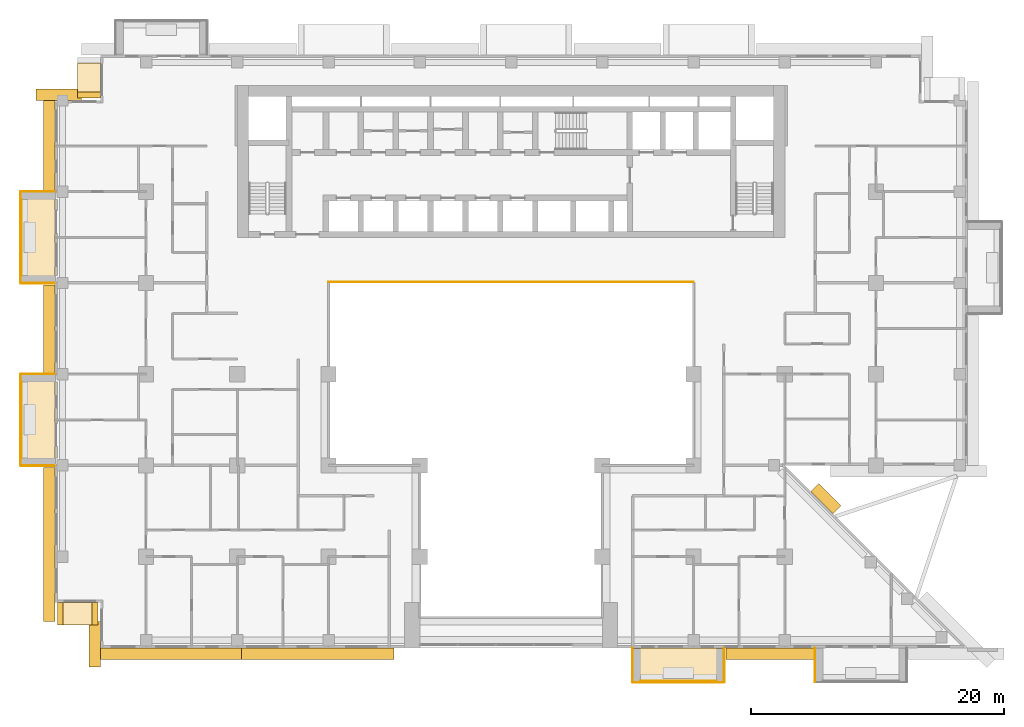
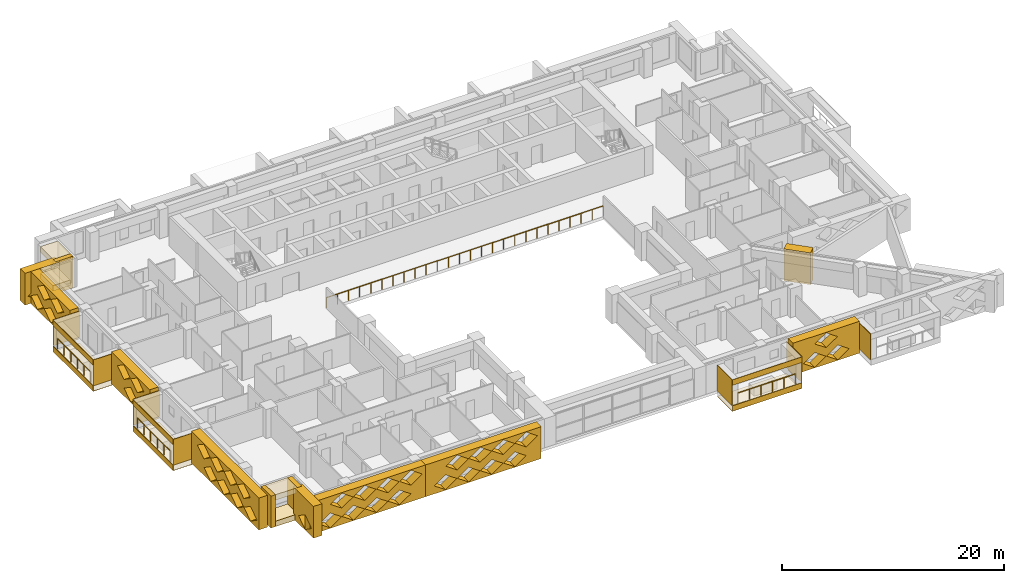
# One storey, part 14 of 17: 32 coverings, 4 railings.
"""IFC4 building model written with IfcOpenShell, lengths in metres."""

from ifc_helpers import new_model, si_unit, direction, frame, origin, origin_2d, place, context, subcontext, project, spatial, polyline, circle, outline, extrude, material, layer, layer_set, type_object, element, save


model = new_model("IFC4")

# Units and contexts
model_context = context("Model", 3, precision=1e-05, world=origin(), true_north=direction((0.0, 1.0)))
body_context = subcontext(model_context, "Body", "Model", "MODEL_VIEW")
ifc_project = project(units=[si_unit("LENGTHUNIT", "METRE"), si_unit("AREAUNIT", "SQUARE_METRE"), si_unit("VOLUMEUNIT", "CUBIC_METRE"), si_unit("PLANEANGLEUNIT", "RADIAN"), si_unit("MASSUNIT", "GRAM", prefix="KILO")], contexts=[model_context])

# Site, building, storey
site_placement = place(None, origin())
site = spatial("IfcSite", under=ifc_project, at=site_placement, CompositionType="ELEMENT")
building_placement = place(site_placement, origin())
building = spatial("IfcBuilding", under=site, at=building_placement, Name="Saffron Iwan Residences", CompositionType="ELEMENT")
storey_placement = place(building_placement, frame((0.0, 0.0, 100.5)))
storey = spatial("IfcBuildingStorey", under=building, at=storey_placement, Name="L26", CompositionType="ELEMENT", Elevation=100.5)

# Railings
ifc_material_1 = material(Name="Stainless steel 316", Category="steel")
railing_type_1 = type_object("IfcRailingType", Name="Atrium guard 1150", PredefinedType="GUARDRAIL", material=ifc_material_1)
railing_1_placement = place(storey_placement, frame((36.0, 62.47509765625, 0.0)))
element("IfcRailing", 1, at=railing_1_placement, inside=storey, type_object=railing_type_1, Name="Atrium guard L26", PredefinedType="GUARDRAIL", context=body_context, shape_type="SweptSolid", body=[
    extrude(circle(Radius=0.02392578125, at=origin_2d()), frame((0.0, 0.0, 1.1259765625), z_axis=(1.0, 0.0, 0.0), x_axis=(0.0, 1.0, 0.0)), (0.0, 0.0, 1.0), 28.800048828125),
    extrude(circle(Radius=0.02099609375, at=origin_2d()), origin(), (0.0, 0.0, 1.0), 1.101806640625),
    extrude(circle(Radius=0.02099609375, at=origin_2d()), frame((1.152099609375, 0.0, 0.0)), (0.0, 0.0, 1.0), 1.101806640625),
    extrude(circle(Radius=0.02099609375, at=origin_2d()), frame((2.303955078125, 0.0, 0.0)), (0.0, 0.0, 1.0), 1.101806640625),
    extrude(circle(Radius=0.02099609375, at=origin_2d()), frame((3.4560546875, 0.0, 0.0)), (0.0, 0.0, 1.0), 1.101806640625),
    extrude(circle(Radius=0.02099609375, at=origin_2d()), frame((4.60791015625, 0.0, 0.0)), (0.0, 0.0, 1.0), 1.101806640625),
    extrude(circle(Radius=0.02099609375, at=origin_2d()), frame((5.760009765625, 0.0, 0.0)), (0.0, 0.0, 1.0), 1.101806640625),
    extrude(circle(Radius=0.02099609375, at=origin_2d()), frame((6.912109375, 0.0, 0.0)), (0.0, 0.0, 1.0), 1.101806640625),
    extrude(circle(Radius=0.02099609375, at=origin_2d()), frame((8.06396484375, 0.0, 0.0)), (0.0, 0.0, 1.0), 1.101806640625),
    extrude(circle(Radius=0.02099609375, at=origin_2d()), frame((9.216064453125, 0.0, 0.0)), (0.0, 0.0, 1.0), 1.101806640625),
    extrude(circle(Radius=0.02099609375, at=origin_2d()), frame((10.367919921875, 0.0, 0.0)), (0.0, 0.0, 1.0), 1.101806640625),
    extrude(circle(Radius=0.02099609375, at=origin_2d()), frame((11.52001953125, 0.0, 0.0)), (0.0, 0.0, 1.0), 1.101806640625),
    extrude(circle(Radius=0.02099609375, at=origin_2d()), frame((12.672119140625, 0.0, 0.0)), (0.0, 0.0, 1.0), 1.101806640625),
    extrude(circle(Radius=0.02099609375, at=origin_2d()), frame((13.823974609375, 0.0, 0.0)), (0.0, 0.0, 1.0), 1.101806640625),
    extrude(circle(Radius=0.02099609375, at=origin_2d()), frame((14.97607421875, 0.0, 0.0)), (0.0, 0.0, 1.0), 1.101806640625),
    extrude(circle(Radius=0.02099609375, at=origin_2d()), frame((16.1279296875, 0.0, 0.0)), (0.0, 0.0, 1.0), 1.101806640625),
    extrude(circle(Radius=0.02099609375, at=origin_2d()), frame((17.280029296875, 0.0, 0.0)), (0.0, 0.0, 1.0), 1.101806640625),
    extrude(circle(Radius=0.02099609375, at=origin_2d()), frame((18.43212890625, 0.0, 0.0)), (0.0, 0.0, 1.0), 1.101806640625),
    extrude(circle(Radius=0.02099609375, at=origin_2d()), frame((19.583984375, 0.0, 0.0)), (0.0, 0.0, 1.0), 1.101806640625),
    extrude(circle(Radius=0.02099609375, at=origin_2d()), frame((20.736083984375, 0.0, 0.0)), (0.0, 0.0, 1.0), 1.101806640625),
    extrude(circle(Radius=0.02099609375, at=origin_2d()), frame((21.887939453125, 0.0, 0.0)), (0.0, 0.0, 1.0), 1.101806640625),
    extrude(circle(Radius=0.02099609375, at=origin_2d()), frame((23.0400390625, 0.0, 0.0)), (0.0, 0.0, 1.0), 1.101806640625),
    extrude(circle(Radius=0.02099609375, at=origin_2d()), frame((24.192138671875, 0.0, 0.0)), (0.0, 0.0, 1.0), 1.101806640625),
    extrude(circle(Radius=0.02099609375, at=origin_2d()), frame((25.343994140625, 0.0, 0.0)), (0.0, 0.0, 1.0), 1.101806640625),
    extrude(circle(Radius=0.02099609375, at=origin_2d()), frame((26.49609375, 0.0, 0.0)), (0.0, 0.0, 1.0), 1.101806640625),
    extrude(circle(Radius=0.02099609375, at=origin_2d()), frame((27.64794921875, 0.0, 0.0)), (0.0, 0.0, 1.0), 1.101806640625),
    extrude(circle(Radius=0.02099609375, at=origin_2d()), frame((28.800048828125, 0.0, 0.0)), (0.0, 0.0, 1.0), 1.101806640625),
])
railing_type_2 = type_object("IfcRailingType", Name="BALCONY GUARD 1150", PredefinedType="GUARDRAIL", material=ifc_material_1)
for number, where, name in (
    (2, (11.77490234375, 69.0, 0.0), "Balcony guard L26 F8-0"),
    (3, (11.77490234375, 54.60009765625, 0.0), "Balcony guard L26 F8-1"),
):
    element("IfcRailing", number, at=place(storey_placement, frame(where)), inside=storey, type_object=railing_type_2, Name=name, PredefinedType="GUARDRAIL", context=body_context, shape_type="SweptSolid", body=[
        extrude(circle(Radius=0.02392578125, at=origin_2d()), frame((0.0, 0.0, 1.1259765625), z_axis=(0.0, -1.0, 0.0), x_axis=(1.0, 0.0, 0.0)), (0.0, 0.0, 1.0), 6.0),
        extrude(circle(Radius=0.02099609375, at=origin_2d()), origin(), (0.0, 0.0, 1.0), 1.101806640625),
        extrude(circle(Radius=0.02099609375, at=origin_2d()), frame((0.0, -1.199951171875, 0.0)), (0.0, 0.0, 1.0), 1.101806640625),
        extrude(circle(Radius=0.02099609375, at=origin_2d()), frame((0.0, -2.39990234375, 0.0)), (0.0, 0.0, 1.0), 1.101806640625),
        extrude(circle(Radius=0.02099609375, at=origin_2d()), frame((0.0, -3.60009765625, 0.0)), (0.0, 0.0, 1.0), 1.101806640625),
        extrude(circle(Radius=0.02099609375, at=origin_2d()), frame((0.0, -4.800048828125, 0.0)), (0.0, 0.0, 1.0), 1.101806640625),
        extrude(circle(Radius=0.02099609375, at=origin_2d()), frame((0.0, -6.0, 0.0)), (0.0, 0.0, 1.0), 1.101806640625),
    ])
railing_2_placement = place(storey_placement, frame((60.60009765625, 30.97509765625, 0.0)))
element("IfcRailing", 4, at=railing_2_placement, inside=storey, type_object=railing_type_2, Name="Balcony guard L26 11-1", PredefinedType="GUARDRAIL", context=body_context, shape_type="SweptSolid", body=[
    extrude(circle(Radius=0.02392578125, at=origin_2d()), frame((0.0, 0.0, 1.1259765625), z_axis=(1.0, 0.0, 0.0), x_axis=(0.0, 1.0, 0.0)), (0.0, 0.0, 1.0), 6.0),
    extrude(circle(Radius=0.02099609375, at=origin_2d()), origin(), (0.0, 0.0, 1.0), 1.101806640625),
    extrude(circle(Radius=0.02099609375, at=origin_2d()), frame((1.199951171875, 0.0, 0.0)), (0.0, 0.0, 1.0), 1.101806640625),
    extrude(circle(Radius=0.02099609375, at=origin_2d()), frame((2.39990234375, 0.0, 0.0)), (0.0, 0.0, 1.0), 1.101806640625),
    extrude(circle(Radius=0.02099609375, at=origin_2d()), frame((3.60009765625, 0.0, 0.0)), (0.0, 0.0, 1.0), 1.101806640625),
    extrude(circle(Radius=0.02099609375, at=origin_2d()), frame((4.800048828125, 0.0, 0.0)), (0.0, 0.0, 1.0), 1.101806640625),
    extrude(circle(Radius=0.02099609375, at=origin_2d()), frame((6.0, 0.0, 0.0)), (0.0, 0.0, 1.0), 1.101806640625),
])

# Coverings
ifc_material_2 = material(Name="Precast concrete C40/50 white painted", Category="concrete")
ifc_layer = layer(ifc_material_2, 0.050048828125)
ifc_layer_set = layer_set([ifc_layer], Name="Precast concrete C40/50 white painted")
covering_type_1 = type_object("IfcCoveringType", Name="FRAME SKIN PRECAST WHITE 50", PredefinedType="CLADDING", material=ifc_layer_set)
for number, where, name in (
    (5, (0.0, 0.0, -0.60009765625), "Frame skin slab edge L26 F8-0"),
    (6, (0.0, 0.0, 2.25), "Frame skin fascia L26 F8-0"),
):
    element("IfcCovering", number, at=place(storey_placement, frame(where)), inside=storey, type_object=covering_type_1, Name=name, PredefinedType="CLADDING", context=body_context, shape_type="SweptSolid", body=[
        extrude(outline(polyline([(11.64990234375, 69.60009765625), (11.64990234375, 62.39990234375), (11.699951171875, 62.39990234375), (11.699951171875, 69.60009765625), (11.64990234375, 69.60009765625)])), origin(), (0.0, 0.0, 1.0), 0.60009765625),
    ])
covering_1_placement = place(storey_placement, frame((0.0, 0.0, -0.64990234375)))
element("IfcCovering", 7, at=covering_1_placement, inside=storey, type_object=covering_type_1, Name="Frame skin soffit L26 F8-0", PredefinedType="CLADDING", context=body_context, shape_type="SweptSolid", body=[
    extrude(outline(polyline([(11.699951171875, 69.60009765625), (11.699951171875, 62.39990234375), (14.39990234375, 62.39990234375), (14.39990234375, 69.60009765625), (11.699951171875, 69.60009765625)])), origin(), (0.0, 0.0, 1.0), 0.0498046875),
])
covering_2_placement = place(storey_placement, origin())
element("IfcCovering", 8, at=covering_2_placement, inside=storey, type_object=covering_type_1, Name="Frame skin fin L26 F8-0a", PredefinedType="CLADDING", context=body_context, shape_type="SweptSolid", body=[
    extrude(outline(polyline([(11.699951171875, 69.64990234375), (11.699951171875, 69.60009765625), (14.39990234375, 69.60009765625), (14.39990234375, 69.64990234375), (11.699951171875, 69.64990234375)])), origin(), (0.0, 0.0, 1.0), 2.85009765625),
])
covering_3_placement = place(storey_placement, origin())
element("IfcCovering", 9, at=covering_3_placement, inside=storey, type_object=covering_type_1, Name="Frame skin fin L26 F8-0b", PredefinedType="CLADDING", context=body_context, shape_type="SweptSolid", body=[
    extrude(outline(polyline([(11.699951171875, 62.39990234375), (11.699951171875, 62.35009765625), (14.39990234375, 62.35009765625), (14.39990234375, 62.39990234375), (11.699951171875, 62.39990234375)])), origin(), (0.0, 0.0, 1.0), 2.85009765625),
])
for number, where, name in (
    (10, (0.0, 0.0, -0.60009765625), "Frame skin slab edge L26 F8-1"),
    (11, (0.0, 0.0, 2.25), "Frame skin fascia L26 F8-1"),
):
    element("IfcCovering", number, at=place(storey_placement, frame(where)), inside=storey, type_object=covering_type_1, Name=name, PredefinedType="CLADDING", context=body_context, shape_type="SweptSolid", body=[
        extrude(outline(polyline([(11.64990234375, 55.199951171875), (11.64990234375, 48.0), (11.699951171875, 48.0), (11.699951171875, 55.199951171875), (11.64990234375, 55.199951171875)])), origin(), (0.0, 0.0, 1.0), 0.60009765625),
    ])
covering_4_placement = place(storey_placement, frame((0.0, 0.0, -0.64990234375)))
element("IfcCovering", 12, at=covering_4_placement, inside=storey, type_object=covering_type_1, Name="Frame skin soffit L26 F8-1", PredefinedType="CLADDING", context=body_context, shape_type="SweptSolid", body=[
    extrude(outline(polyline([(11.699951171875, 55.199951171875), (11.699951171875, 48.0), (14.39990234375, 48.0), (14.39990234375, 55.199951171875), (11.699951171875, 55.199951171875)])), origin(), (0.0, 0.0, 1.0), 0.0498046875),
])
covering_5_placement = place(storey_placement, origin())
element("IfcCovering", 13, at=covering_5_placement, inside=storey, type_object=covering_type_1, Name="Frame skin fin L26 F8-1a", PredefinedType="CLADDING", context=body_context, shape_type="SweptSolid", body=[
    extrude(outline(polyline([(11.699951171875, 55.25), (11.699951171875, 55.199951171875), (14.39990234375, 55.199951171875), (14.39990234375, 55.25), (11.699951171875, 55.25)])), origin(), (0.0, 0.0, 1.0), 2.85009765625),
])
covering_6_placement = place(storey_placement, origin())
element("IfcCovering", 14, at=covering_6_placement, inside=storey, type_object=covering_type_1, Name="Frame skin fin L26 F8-1b", PredefinedType="CLADDING", context=body_context, shape_type="SweptSolid", body=[
    extrude(outline(polyline([(11.699951171875, 48.0), (11.699951171875, 47.949951171875), (14.39990234375, 47.949951171875), (14.39990234375, 48.0), (11.699951171875, 48.0)])), origin(), (0.0, 0.0, 1.0), 2.85009765625),
])
for number, where, name in (
    (15, (0.0, 0.0, -0.60009765625), "Frame skin slab edge L26 11-1"),
    (16, (0.0, 0.0, 2.25), "Frame skin fascia L26 11-1"),
):
    element("IfcCovering", number, at=place(storey_placement, frame(where)), inside=storey, type_object=covering_type_1, Name=name, PredefinedType="CLADDING", context=body_context, shape_type="SweptSolid", body=[
        extrude(outline(polyline([(60.0, 30.85009765625), (67.199951171875, 30.85009765625), (67.199951171875, 30.89990234375), (60.0, 30.89990234375), (60.0, 30.85009765625)])), origin(), (0.0, 0.0, 1.0), 0.60009765625),
    ])
covering_7_placement = place(storey_placement, frame((0.0, 0.0, -0.64990234375)))
element("IfcCovering", 17, at=covering_7_placement, inside=storey, type_object=covering_type_1, Name="Frame skin soffit L26 11-1", PredefinedType="CLADDING", context=body_context, shape_type="SweptSolid", body=[
    extrude(outline(polyline([(60.0, 30.89990234375), (67.199951171875, 30.89990234375), (67.199951171875, 33.60009765625), (60.0, 33.60009765625), (60.0, 30.89990234375)])), origin(), (0.0, 0.0, 1.0), 0.0498046875),
])
covering_8_placement = place(storey_placement, origin())
element("IfcCovering", 18, at=covering_8_placement, inside=storey, type_object=covering_type_1, Name="Frame skin fin L26 11-1a", PredefinedType="CLADDING", context=body_context, shape_type="SweptSolid", body=[
    extrude(outline(polyline([(59.949951171875, 30.89990234375), (60.0, 30.89990234375), (60.0, 33.60009765625), (59.949951171875, 33.60009765625), (59.949951171875, 30.89990234375)])), origin(), (0.0, 0.0, 1.0), 2.85009765625),
])
covering_9_placement = place(storey_placement, origin())
element("IfcCovering", 19, at=covering_9_placement, inside=storey, type_object=covering_type_1, Name="Frame skin fin L26 11-1b", PredefinedType="CLADDING", context=body_context, shape_type="SweptSolid", body=[
    extrude(outline(polyline([(67.199951171875, 30.89990234375), (67.25, 30.89990234375), (67.25, 33.60009765625), (67.199951171875, 33.60009765625), (67.199951171875, 30.89990234375)])), origin(), (0.0, 0.0, 1.0), 2.85009765625),
])
covering_10_placement = place(storey_placement, origin())
element("IfcCovering", 20, at=covering_10_placement, inside=storey, type_object=covering_type_1, Name="Frame skin fin L26 11-2a", PredefinedType="CLADDING", context=body_context, shape_type="SweptSolid", body=[
    extrude(outline(polyline([(74.35009765625, 30.89990234375), (74.39990234375, 30.89990234375), (74.39990234375, 33.60009765625), (74.35009765625, 33.60009765625), (74.35009765625, 30.89990234375)])), origin(), (0.0, 0.0, 1.0), 2.85009765625),
])
ifc_material_3 = material(Name="Precast concrete C40/50", Category="concrete")
covering_type_2 = type_object("IfcCoveringType", Name="OUTER SKIN LATTICE SCREEN", PredefinedType="CLADDING", material=ifc_material_3)
covering_11_placement = place(storey_placement, frame((75.805908203125, 44.194091796875, -0.320068359375), z_axis=(0.707106781187, 0.707106781187, 0.0), x_axis=(-0.707106781187, 0.707106781187, 0.0)))
element("IfcCovering", 21, at=covering_11_placement, inside=storey, type_object=covering_type_2, Name="OUTER SKIN lattice screen L26 F0.1", PredefinedType="CLADDING", context=body_context, shape_type="SweptSolid", body=[
    extrude(outline(polyline([(0.0, 0.0), (2.4853515625, 0.0), (2.4853515625, 3.5), (0.0, 3.5), (0.0, 0.0)])), origin(), (0.0, 0.0, 1.0), 0.900146484375),
])
covering_12_placement = place(storey_placement, frame((16.5, 76.800048828125, -0.320068359375), z_axis=(0.0, 1.0, 0.0), x_axis=(-1.0, 0.0, 0.0)))
element("IfcCovering", 22, at=covering_12_placement, inside=storey, type_object=covering_type_2, Name="OUTER SKIN lattice screen L26 F7.0", PredefinedType="CLADDING", context=body_context, shape_type="SweptSolid", body=[
    extrude(outline(polyline([(0.0, 0.0), (3.60009765625, 0.0), (3.60009765625, 3.5), (0.0, 3.5), (0.0, 0.0)]), holes=[polyline([(0.919921875, 0.875), (2.10009765625, 0.06005859375), (3.280029296875, 0.875), (2.10009765625, 1.68994140625), (0.919921875, 0.875)])]), origin(), (0.0, 0.0, 1.0), 0.89990234375),
])
covering_13_placement = place(storey_placement, frame((14.39990234375, 77.699951171875, -0.320068359375), z_axis=(-1.0, 0.0, 0.0), x_axis=(0.0, -1.0, 0.0)))
element("IfcCovering", 23, at=covering_13_placement, inside=storey, type_object=covering_type_2, Name="OUTER SKIN lattice screen L26 F8.0", PredefinedType="CLADDING", context=body_context, shape_type="SweptSolid", body=[
    extrude(outline(polyline([(0.0, 0.0), (7.949951171875, 0.0), (7.949951171875, 3.5), (0.0, 3.5), (0.0, 0.0)]), holes=[polyline([(0.919921875, 0.875), (2.10009765625, 0.06005859375), (3.280029296875, 0.875), (2.10009765625, 1.68994140625), (0.919921875, 0.875)]), polyline([(3.320068359375, 0.875), (4.5, 0.06005859375), (5.679931640625, 0.875), (4.5, 1.68994140625), (3.320068359375, 0.875)]), polyline([(2.1201171875, 2.625), (3.300048828125, 1.81005859375), (4.47998046875, 2.625), (3.300048828125, 3.43994140625), (2.1201171875, 2.625)]), polyline([(4.52001953125, 2.625), (5.699951171875, 1.81005859375), (6.8798828125, 2.625), (5.699951171875, 3.43994140625), (4.52001953125, 2.625)])]), origin(), (0.0, 0.0, 1.0), 0.89990234375),
])
covering_14_placement = place(storey_placement, frame((14.39990234375, 62.25, -0.320068359375), z_axis=(-1.0, 0.0, 0.0), x_axis=(0.0, -1.0, 0.0)))
element("IfcCovering", 24, at=covering_14_placement, inside=storey, type_object=covering_type_2, Name="OUTER SKIN lattice screen L26 F8.1", PredefinedType="CLADDING", context=body_context, shape_type="SweptSolid", body=[
    extrude(outline(polyline([(0.0, 0.0), (6.89990234375, 0.0), (6.89990234375, 3.5), (0.0, 3.5), (0.0, 0.0)]), holes=[polyline([(2.27001953125, 0.875), (3.449951171875, 0.06005859375), (4.6298828125, 0.875), (3.449951171875, 1.68994140625), (2.27001953125, 0.875)]), polyline([(1.070068359375, 2.625), (2.25, 1.81005859375), (3.429931640625, 2.625), (2.25, 3.43994140625), (1.070068359375, 2.625)]), polyline([(3.469970703125, 2.625), (4.64990234375, 1.81005859375), (5.830078125, 2.625), (4.64990234375, 3.43994140625), (3.469970703125, 2.625)])]), origin(), (0.0, 0.0, 1.0), 0.89990234375),
])
covering_15_placement = place(storey_placement, frame((14.39990234375, 47.85009765625, -0.320068359375), z_axis=(-1.0, 0.0, 0.0), x_axis=(0.0, -1.0, 0.0)))
element("IfcCovering", 25, at=covering_15_placement, inside=storey, type_object=covering_type_2, Name="OUTER SKIN lattice screen L26 F8.2", PredefinedType="CLADDING", context=body_context, shape_type="SweptSolid", body=[
    extrude(outline(polyline([(0.0, 0.0), (12.14990234375, 0.0), (12.14990234375, 3.5), (0.0, 3.5), (0.0, 0.0)]), holes=[polyline([(2.27001953125, 0.875), (3.449951171875, 0.06005859375), (4.6298828125, 0.875), (3.449951171875, 1.68994140625), (2.27001953125, 0.875)]), polyline([(4.669921875, 0.875), (5.85009765625, 0.06005859375), (7.030029296875, 0.875), (5.85009765625, 1.68994140625), (4.669921875, 0.875)]), polyline([(7.070068359375, 0.875), (8.25, 0.06005859375), (9.429931640625, 0.875), (8.25, 1.68994140625), (7.070068359375, 0.875)]), polyline([(9.469970703125, 0.875), (10.64990234375, 0.06005859375), (11.830078125, 0.875), (10.64990234375, 1.68994140625), (9.469970703125, 0.875)]), polyline([(1.070068359375, 2.625), (2.25, 1.81005859375), (3.429931640625, 2.625), (2.25, 3.43994140625), (1.070068359375, 2.625)]), polyline([(3.469970703125, 2.625), (4.64990234375, 1.81005859375), (5.830078125, 2.625), (4.64990234375, 3.43994140625), (3.469970703125, 2.625)]), polyline([(5.8701171875, 2.625), (7.050048828125, 1.81005859375), (8.22998046875, 2.625), (7.050048828125, 3.43994140625), (5.8701171875, 2.625)]), polyline([(8.27001953125, 2.625), (9.449951171875, 1.81005859375), (10.6298828125, 2.625), (9.449951171875, 3.43994140625), (8.27001953125, 2.625)])]), origin(), (0.0, 0.0, 1.0), 0.89990234375),
])
covering_16_placement = place(storey_placement, frame((18.0, 35.699951171875, -0.320068359375), z_axis=(-1.0, 0.0, 0.0), x_axis=(0.0, -1.0, 0.0)))
element("IfcCovering", 26, at=covering_16_placement, inside=storey, type_object=covering_type_2, Name="OUTER SKIN lattice screen L26 F10.0", PredefinedType="CLADDING", context=body_context, shape_type="SweptSolid", body=[
    extrude(outline(polyline([(0.0, 0.0), (3.60009765625, 0.0), (3.60009765625, 3.5), (0.0, 3.5), (0.0, 0.0)]), holes=[polyline([(0.919921875, 0.875), (2.10009765625, 0.06005859375), (3.280029296875, 0.875), (2.10009765625, 1.68994140625), (0.919921875, 0.875)])]), origin(), (0.0, 0.0, 1.0), 0.89990234375),
])
covering_17_placement = place(storey_placement, frame((17.10009765625, 33.60009765625, -0.320068359375), z_axis=(0.0, -1.0, 0.0), x_axis=(1.0, 0.0, 0.0)))
element("IfcCovering", 27, at=covering_17_placement, inside=storey, type_object=covering_type_2, Name="OUTER SKIN lattice screen L26 F11.0", PredefinedType="CLADDING", context=body_context, shape_type="SweptSolid", body=[
    extrude(outline(polyline([(0.0, 0.0), (12.02490234375, 0.0), (12.02490234375, 3.5), (0.0, 3.5), (0.0, 0.0)]), holes=[polyline([(0.919921875, 0.875), (2.10009765625, 0.06005859375), (3.280029296875, 0.875), (2.10009765625, 1.68994140625), (0.919921875, 0.875)]), polyline([(3.320068359375, 0.875), (4.5, 0.06005859375), (5.679931640625, 0.875), (4.5, 1.68994140625), (3.320068359375, 0.875)]), polyline([(5.719970703125, 0.875), (6.89990234375, 0.06005859375), (8.080078125, 0.875), (6.89990234375, 1.68994140625), (5.719970703125, 0.875)]), polyline([(8.1201171875, 0.875), (9.300048828125, 0.06005859375), (10.47998046875, 0.875), (9.300048828125, 1.68994140625), (8.1201171875, 0.875)]), polyline([(2.1201171875, 2.625), (3.300048828125, 1.81005859375), (4.47998046875, 2.625), (3.300048828125, 3.43994140625), (2.1201171875, 2.625)]), polyline([(4.52001953125, 2.625), (5.699951171875, 1.81005859375), (6.8798828125, 2.625), (5.699951171875, 3.43994140625), (4.52001953125, 2.625)]), polyline([(6.919921875, 2.625), (8.10009765625, 1.81005859375), (9.280029296875, 2.625), (8.10009765625, 3.43994140625), (6.919921875, 2.625)]), polyline([(9.320068359375, 2.625), (10.5, 1.81005859375), (11.679931640625, 2.625), (10.5, 3.43994140625), (9.320068359375, 2.625)])]), origin(), (0.0, 0.0, 1.0), 0.900146484375),
])
covering_18_placement = place(storey_placement, frame((29.125, 33.60009765625, -0.320068359375), z_axis=(0.0, -1.0, 0.0), x_axis=(1.0, 0.0, 0.0)))
element("IfcCovering", 28, at=covering_18_placement, inside=storey, type_object=covering_type_2, Name="OUTER SKIN lattice screen L26 F11.1", PredefinedType="CLADDING", context=body_context, shape_type="SweptSolid", body=[
    extrude(outline(polyline([(0.0, 0.0), (12.02490234375, 0.0), (12.02490234375, 3.5), (0.0, 3.5), (0.0, 0.0)]), holes=[polyline([(0.89501953125, 0.875), (2.074951171875, 0.06005859375), (3.2548828125, 0.875), (2.074951171875, 1.68994140625), (0.89501953125, 0.875)]), polyline([(3.294921875, 0.875), (4.47509765625, 0.06005859375), (5.655029296875, 0.875), (4.47509765625, 1.68994140625), (3.294921875, 0.875)]), polyline([(5.695068359375, 0.875), (6.875, 0.06005859375), (8.054931640625, 0.875), (6.875, 1.68994140625), (5.695068359375, 0.875)]), polyline([(8.094970703125, 0.875), (9.27490234375, 0.06005859375), (10.455078125, 0.875), (9.27490234375, 1.68994140625), (8.094970703125, 0.875)]), polyline([(2.094970703125, 2.625), (3.27490234375, 1.81005859375), (4.455078125, 2.625), (3.27490234375, 3.43994140625), (2.094970703125, 2.625)]), polyline([(4.4951171875, 2.625), (5.675048828125, 1.81005859375), (6.85498046875, 2.625), (5.675048828125, 3.43994140625), (4.4951171875, 2.625)]), polyline([(6.89501953125, 2.625), (8.074951171875, 1.81005859375), (9.2548828125, 2.625), (8.074951171875, 3.43994140625), (6.89501953125, 2.625)]), polyline([(9.294921875, 2.625), (10.47509765625, 1.81005859375), (11.655029296875, 2.625), (10.47509765625, 3.43994140625), (9.294921875, 2.625)])]), origin(), (0.0, 0.0, 1.0), 0.900146484375),
])
covering_19_placement = place(storey_placement, frame((67.35009765625, 33.60009765625, -0.320068359375), z_axis=(0.0, -1.0, 0.0), x_axis=(1.0, 0.0, 0.0)))
element("IfcCovering", 29, at=covering_19_placement, inside=storey, type_object=covering_type_2, Name="OUTER SKIN lattice screen L26 F11.2", PredefinedType="CLADDING", context=body_context, shape_type="SweptSolid", body=[
    extrude(outline(polyline([(0.0, 0.0), (6.89990234375, 0.0), (6.89990234375, 3.5), (0.0, 3.5), (0.0, 0.0)]), holes=[polyline([(1.070068359375, 0.875), (2.25, 0.06005859375), (3.429931640625, 0.875), (2.25, 1.68994140625), (1.070068359375, 0.875)]), polyline([(3.469970703125, 0.875), (4.64990234375, 0.06005859375), (5.830078125, 0.875), (4.64990234375, 1.68994140625), (3.469970703125, 0.875)]), polyline([(2.27001953125, 2.625), (3.449951171875, 1.81005859375), (4.6298828125, 2.625), (3.449951171875, 3.43994140625), (2.27001953125, 2.625)])]), origin(), (0.0, 0.0, 1.0), 0.900146484375),
])
covering_type_3 = type_object("IfcCoveringType", Name="WHITE SUN FRAME PRECAST", PredefinedType="CLADDING", material=ifc_material_2)
covering_20_placement = place(storey_placement, frame((18.0, 77.449951171875, -0.320068359375), z_axis=(-1.0, 0.0, 0.0), x_axis=(0.0, -1.0, 0.0)))
element("IfcCovering", 30, at=covering_20_placement, inside=storey, type_object=covering_type_3, Name="Sun frame L26 F6 0.2b", PredefinedType="CLADDING", context=body_context, shape_type="SweptSolid", body=[
    extrude(outline(polyline([(0.0, 0.0), (0.449951171875, 0.0), (0.449951171875, 3.5), (0.0, 3.5), (0.0, 0.0)])), origin(), (0.0, 0.0, 1.0), 1.800048828125),
])
for number, where, z_axis, x_axis, name in (
    (31, (18.0, 79.75, 2.580078125), (-1.0, 0.0, 0.0), (0.0, -1.0, 0.0), "Sun frame L26 F6 0.2h"),
    (32, (18.0, 79.75, -0.320068359375), (-1.0, 0.0, 0.0), (0.0, -1.0, 0.0), "Sun frame L26 F6 0.2s"),
):
    element("IfcCovering", number, at=place(storey_placement, frame(where, z_axis=z_axis, x_axis=x_axis)), inside=storey, type_object=covering_type_3, Name=name, PredefinedType="CLADDING", context=body_context, shape_type="SweptSolid", body=[
        extrude(outline(polyline([(0.0, 0.0), (2.300048828125, 0.0), (2.300048828125, 0.60009765625), (0.0, 0.60009765625), (0.0, 0.0)])), origin(), (0.0, 0.0, 1.0), 1.800048828125),
    ])
for number, where, z_axis, x_axis, name in (
    (33, (14.60009765625, 37.199951171875, -0.320068359375), (0.0, -1.0, 0.0), (1.0, 0.0, 0.0), "Sun frame L26 F9 0.2a"),
    (34, (17.35009765625, 37.199951171875, -0.320068359375), (0.0, -1.0, 0.0), (1.0, 0.0, 0.0), "Sun frame L26 F9 0.2b"),
):
    element("IfcCovering", number, at=place(storey_placement, frame(where, z_axis=z_axis, x_axis=x_axis)), inside=storey, type_object=covering_type_3, Name=name, PredefinedType="CLADDING", context=body_context, shape_type="SweptSolid", body=[
        extrude(outline(polyline([(0.0, 0.0), (0.449951171875, 0.0), (0.449951171875, 3.5), (0.0, 3.5), (0.0, 0.0)])), origin(), (0.0, 0.0, 1.0), 1.800048828125),
    ])
for number, where, z_axis, x_axis, name in (
    (35, (15.050048828125, 37.199951171875, 2.580078125), (0.0, -1.0, 0.0), (1.0, 0.0, 0.0), "Sun frame L26 F9 0.2h"),
    (36, (15.050048828125, 37.199951171875, -0.320068359375), (0.0, -1.0, 0.0), (1.0, 0.0, 0.0), "Sun frame L26 F9 0.2s"),
):
    element("IfcCovering", number, at=place(storey_placement, frame(where, z_axis=z_axis, x_axis=x_axis)), inside=storey, type_object=covering_type_3, Name=name, PredefinedType="CLADDING", context=body_context, shape_type="SweptSolid", body=[
        extrude(outline(polyline([(0.0, 0.0), (2.300048828125, 0.0), (2.300048828125, 0.60009765625), (0.0, 0.60009765625), (0.0, 0.0)])), origin(), (0.0, 0.0, 1.0), 1.800048828125),
    ])

save(model, "model.ifc")
